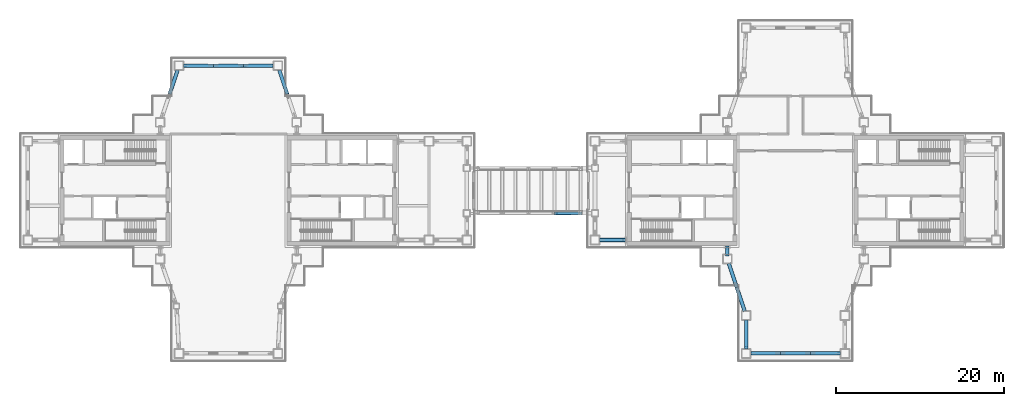
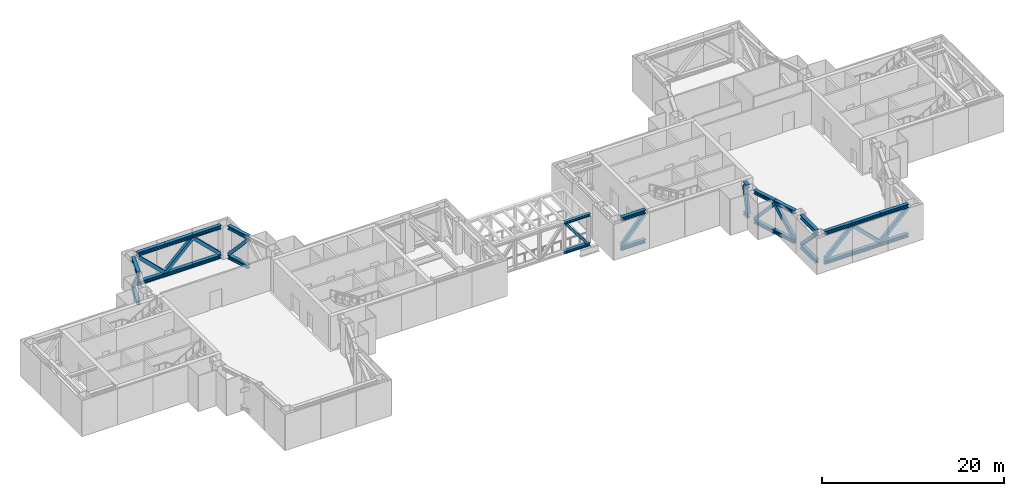
# One storey, part 5 of 21: 42 members.
"""IFC4 building model written with IfcOpenShell, lengths in metres."""

from ifc_helpers import new_model, si_unit, direction, frame, origin, origin_2d, place, context, subcontext, project, spatial, hollow_rectangle, i_section, extrude, material, material_profile, profile_set, type_object, element, save


model = new_model("IFC4")

# Units and contexts
model_context = context("Model", 3, precision=1e-05, world=origin(), true_north=direction((0.0, 1.0)))
body_context = subcontext(model_context, "Body", "Model", "MODEL_VIEW")
ifc_project = project(units=[si_unit("LENGTHUNIT", "METRE"), si_unit("AREAUNIT", "SQUARE_METRE"), si_unit("VOLUMEUNIT", "CUBIC_METRE"), si_unit("PLANEANGLEUNIT", "RADIAN"), si_unit("MASSUNIT", "GRAM", prefix="KILO")], contexts=[model_context])

# Site, building, storey
site_placement = place(None, origin())
site = spatial("IfcSite", under=ifc_project, at=site_placement, CompositionType="ELEMENT")
building_placement = place(site_placement, origin())
building = spatial("IfcBuilding", under=site, at=building_placement, Name="Shamsa Quay Exchange Towers", CompositionType="ELEMENT")
storey_placement = place(building_placement, frame((0.0, 0.0, 177.89990234375)))
storey = spatial("IfcBuildingStorey", under=building, at=storey_placement, Name="L42", CompositionType="ELEMENT", Elevation=177.89990234375)

# Members
ifc_material = material(Name="Steel S355", Category="steel")
ifc_material_profile_1 = material_profile(ifc_material, i_section(OverallWidth=0.43212890625, OverallDepth=0.497802734375, WebThickness=0.0556640625, FlangeThickness=0.0888671875, at=origin_2d()), Name="W14x500")
ifc_profile_set_1 = profile_set([ifc_material_profile_1], Name="Steel S355")
member_type_1 = type_object("IfcMemberType", Name="Belt chord W14x500", PredefinedType="CHORD", material=ifc_profile_set_1)
for number, where, z_axis, x_axis, name in (
    (1, (-26.75, 11.5, 4.201171875), (-0.316227766017, 0.948683298051, 0.0), (-0.948683298051, -0.316227766017, 0.0), "Belt truss chord T1 L42 17"),
    (2, (-26.75, 11.5, 0.2490234375), (-0.316227766017, 0.948683298051, 0.0), (-0.948683298051, -0.316227766017, 0.0), "Belt truss chord T1 L42 17"),
):
    element("IfcMember", number, at=place(storey_placement, frame(where, z_axis=z_axis, x_axis=x_axis)), inside=storey, type_object=member_type_1, Name=name, PredefinedType="CHORD", context=body_context, shape_type="SweptSolid", body=[
        extrude(i_section(OverallWidth=0.43212890625, OverallDepth=0.497802734375, WebThickness=0.0556640625, FlangeThickness=0.0888671875, at=origin_2d()), origin(), (0.0, 0.0, 1.0), 2.977783203125),
    ])
for number, where, z_axis, x_axis, name in (
    (3, (-28.425048828125, 14.875, 4.201171875), (-1.0, 0.0, 0.0), (0.0, -1.0, 0.0), "Belt truss chord T1 L42 18"),
    (4, (-28.425048828125, 14.875, 0.2490234375), (-1.0, 0.0, 0.0), (0.0, -1.0, 0.0), "Belt truss chord T1 L42 18"),
):
    element("IfcMember", number, at=place(storey_placement, frame(where, z_axis=z_axis, x_axis=x_axis)), inside=storey, type_object=member_type_1, Name=name, PredefinedType="CHORD", context=body_context, shape_type="SweptSolid", body=[
        extrude(i_section(OverallWidth=0.43212890625, OverallDepth=0.497802734375, WebThickness=0.0556640625, FlangeThickness=0.0888671875, at=origin_2d()), origin(), (0.0, 0.0, 1.0), 3.550048828125),
    ])
for number, where, z_axis, x_axis, name in (
    (5, (-31.97509765625, 14.875, 4.201171875), (-1.0, 0.0, 0.0), (0.0, -1.0, 0.0), "Belt truss chord T1 L42 18"),
    (6, (-31.97509765625, 14.875, 0.2490234375), (-1.0, 0.0, 0.0), (0.0, -1.0, 0.0), "Belt truss chord T1 L42 18"),
):
    element("IfcMember", number, at=place(storey_placement, frame(where, z_axis=z_axis, x_axis=x_axis)), inside=storey, type_object=member_type_1, Name=name, PredefinedType="CHORD", context=body_context, shape_type="SweptSolid", body=[
        extrude(i_section(OverallWidth=0.43212890625, OverallDepth=0.497802734375, WebThickness=0.0556640625, FlangeThickness=0.0888671875, at=origin_2d()), origin(), (0.0, 0.0, 1.0), 3.5498046875),
    ])
for number, where, z_axis, x_axis, name in (
    (7, (-35.52490234375, 14.875, 4.201171875), (-1.0, 0.0, 0.0), (0.0, -1.0, 0.0), "Belt truss chord T1 L42 18"),
    (8, (-35.52490234375, 14.875, 0.2490234375), (-1.0, 0.0, 0.0), (0.0, -1.0, 0.0), "Belt truss chord T1 L42 18"),
):
    element("IfcMember", number, at=place(storey_placement, frame(where, z_axis=z_axis, x_axis=x_axis)), inside=storey, type_object=member_type_1, Name=name, PredefinedType="CHORD", context=body_context, shape_type="SweptSolid", body=[
        extrude(i_section(OverallWidth=0.43212890625, OverallDepth=0.497802734375, WebThickness=0.0556640625, FlangeThickness=0.0888671875, at=origin_2d()), origin(), (0.0, 0.0, 1.0), 3.550048828125),
    ])
for number, where, z_axis, x_axis, name in (
    (9, (-39.808349609375, 14.324951171875, 4.201171875), (-0.316227766017, -0.948683298051, 0.0), (0.948683298051, -0.316227766017, 0.0), "Belt truss chord T1 L42 19"),
    (10, (-39.808349609375, 14.324951171875, 0.2490234375), (-0.316227766017, -0.948683298051, 0.0), (0.948683298051, -0.316227766017, 0.0), "Belt truss chord T1 L42 19"),
    (11, (25.808349609375, -8.675048828125, 4.201171875), (0.316227766017, -0.948683298051, 0.0), (0.948683298051, 0.316227766017, 0.0), "Belt truss chord T2 L42 3"),
    (12, (25.808349609375, -8.675048828125, 0.2490234375), (0.316227766017, -0.948683298051, 0.0), (0.948683298051, 0.316227766017, 0.0), "Belt truss chord T2 L42 3"),
    (13, (26.75, -11.5, 4.201171875), (0.316227766017, -0.948683298051, 0.0), (0.948683298051, 0.316227766017, 0.0), "Belt truss chord T2 L42 3"),
    (14, (26.75, -11.5, 0.2490234375), (0.316227766017, -0.948683298051, 0.0), (0.948683298051, 0.316227766017, 0.0), "Belt truss chord T2 L42 3"),
):
    element("IfcMember", number, at=place(storey_placement, frame(where, z_axis=z_axis, x_axis=x_axis)), inside=storey, type_object=member_type_1, Name=name, PredefinedType="CHORD", context=body_context, shape_type="SweptSolid", body=[
        extrude(i_section(OverallWidth=0.43212890625, OverallDepth=0.497802734375, WebThickness=0.0556640625, FlangeThickness=0.0888671875, at=origin_2d()), origin(), (0.0, 0.0, 1.0), 2.977783203125),
    ])
for number, where, z_axis, x_axis, name in (
    (15, (27.875, -15.425048828125, 4.201171875), (0.0, -1.0, 0.0), (1.0, 0.0, 0.0), "Belt truss chord T2 L42 4"),
    (16, (27.875, -15.425048828125, 0.2490234375), (0.0, -1.0, 0.0), (1.0, 0.0, 0.0), "Belt truss chord T2 L42 4"),
):
    element("IfcMember", number, at=place(storey_placement, frame(where, z_axis=z_axis, x_axis=x_axis)), inside=storey, type_object=member_type_1, Name=name, PredefinedType="CHORD", context=body_context, shape_type="SweptSolid", body=[
        extrude(i_section(OverallWidth=0.43212890625, OverallDepth=0.497802734375, WebThickness=0.0556640625, FlangeThickness=0.0888671875, at=origin_2d()), origin(), (0.0, 0.0, 1.0), 3.39990234375),
    ])
for number, where, z_axis, x_axis, name in (
    (17, (28.425048828125, -19.375, 4.201171875), (1.0, 0.0, 0.0), (0.0, 1.0, 0.0), "Belt truss chord T2 L42 5"),
    (18, (28.425048828125, -19.375, 0.2490234375), (1.0, 0.0, 0.0), (0.0, 1.0, 0.0), "Belt truss chord T2 L42 5"),
):
    element("IfcMember", number, at=place(storey_placement, frame(where, z_axis=z_axis, x_axis=x_axis)), inside=storey, type_object=member_type_1, Name=name, PredefinedType="CHORD", context=body_context, shape_type="SweptSolid", body=[
        extrude(i_section(OverallWidth=0.43212890625, OverallDepth=0.497802734375, WebThickness=0.0556640625, FlangeThickness=0.0888671875, at=origin_2d()), origin(), (0.0, 0.0, 1.0), 3.550048828125),
    ])
for number, where, z_axis, x_axis, name in (
    (19, (31.97509765625, -19.375, 4.201171875), (1.0, 0.0, 0.0), (0.0, 1.0, 0.0), "Belt truss chord T2 L42 5"),
    (20, (31.97509765625, -19.375, 0.2490234375), (1.0, 0.0, 0.0), (0.0, 1.0, 0.0), "Belt truss chord T2 L42 5"),
):
    element("IfcMember", number, at=place(storey_placement, frame(where, z_axis=z_axis, x_axis=x_axis)), inside=storey, type_object=member_type_1, Name=name, PredefinedType="CHORD", context=body_context, shape_type="SweptSolid", body=[
        extrude(i_section(OverallWidth=0.43212890625, OverallDepth=0.497802734375, WebThickness=0.0556640625, FlangeThickness=0.0888671875, at=origin_2d()), origin(), (0.0, 0.0, 1.0), 3.5498046875),
    ])
for number, where, z_axis, x_axis, name in (
    (21, (35.52490234375, -19.375, 4.201171875), (1.0, 0.0, 0.0), (0.0, 1.0, 0.0), "Belt truss chord T2 L42 5"),
    (22, (35.52490234375, -19.375, 0.2490234375), (1.0, 0.0, 0.0), (0.0, 1.0, 0.0), "Belt truss chord T2 L42 5"),
):
    element("IfcMember", number, at=place(storey_placement, frame(where, z_axis=z_axis, x_axis=x_axis)), inside=storey, type_object=member_type_1, Name=name, PredefinedType="CHORD", context=body_context, shape_type="SweptSolid", body=[
        extrude(i_section(OverallWidth=0.43212890625, OverallDepth=0.497802734375, WebThickness=0.0556640625, FlangeThickness=0.0888671875, at=origin_2d()), origin(), (0.0, 0.0, 1.0), 3.550048828125),
    ])
ifc_material_profile_2 = material_profile(ifc_material, hollow_rectangle(XDim=0.406494140625, YDim=0.406494140625, WallThickness=0.015869140625, at=origin_2d()), Name="HSS16x16x5/8")
ifc_profile_set_2 = profile_set([ifc_material_profile_2], Name="Steel S355")
member_type_2 = type_object("IfcMemberType", Name="Belt diagonal HSS16x16x5/8", PredefinedType="BRACE", material=ifc_profile_set_2)
member_1_placement = place(storey_placement, frame((-27.655517578125, 14.216552734375, 0.630615234375), z_axis=(0.206483170134, -0.619449510403, 0.757394880173), x_axis=(0.948683298051, 0.316227766017, 0.0)))
element("IfcMember", 23, at=member_1_placement, inside=storey, type_object=member_type_2, Name="Belt truss diagonal T1 L42 17", PredefinedType="BRACE", context=body_context, shape_type="SweptSolid", body=[
    extrude(hollow_rectangle(XDim=0.406494140625, YDim=0.406494140625, WallThickness=0.015869140625, at=origin_2d()), origin(), (0.0, 0.0, 1.0), 4.21044921875),
])
member_2_placement = place(storey_placement, frame((-28.57470703125, 14.875, 0.6435546875), z_axis=(-0.716702662829, 0.0, 0.697378873421), x_axis=(0.0, -1.0, 0.0)))
element("IfcMember", 24, at=member_2_placement, inside=storey, type_object=member_type_2, Name="Belt truss diagonal T1 L42 18", PredefinedType="BRACE", context=body_context, shape_type="SweptSolid", body=[
    extrude(hollow_rectangle(XDim=0.406494140625, YDim=0.406494140625, WallThickness=0.015869140625, at=origin_2d()), origin(), (0.0, 0.0, 1.0), 4.53564453125),
])
member_3_placement = place(storey_placement, frame((-35.375244140625, 14.875, 0.6435546875), z_axis=(0.716676483376, 0.0, 0.697405777274), x_axis=(0.0, 1.0, 0.0)))
element("IfcMember", 25, at=member_3_placement, inside=storey, type_object=member_type_2, Name="Belt truss diagonal T1 L42 18", PredefinedType="BRACE", context=body_context, shape_type="SweptSolid", body=[
    extrude(hollow_rectangle(XDim=0.406494140625, YDim=0.406494140625, WallThickness=0.015869140625, at=origin_2d()), origin(), (0.0, 0.0, 1.0), 4.535400390625),
])
member_4_placement = place(storey_placement, frame((-35.674560546875, 14.875, 0.6435546875), z_axis=(-0.716702662829, 0.0, 0.697378873421), x_axis=(0.0, -1.0, 0.0)))
element("IfcMember", 26, at=member_4_placement, inside=storey, type_object=member_type_2, Name="Belt truss diagonal T1 L42 18", PredefinedType="BRACE", context=body_context, shape_type="SweptSolid", body=[
    extrude(hollow_rectangle(XDim=0.406494140625, YDim=0.406494140625, WallThickness=0.015869140625, at=origin_2d()), origin(), (0.0, 0.0, 1.0), 4.53564453125),
])
for number, where, z_axis, x_axis, name in (
    (27, (-39.844482421875, 14.216552734375, 0.630615234375), (-0.206483170134, -0.619449510403, 0.757394880173), (0.948683298051, -0.316227766017, 0.0), "Belt truss diagonal T1 L42 19"),
    (28, (25.844482421875, -8.783447265625, 0.630615234375), (0.206483170134, -0.619449510403, 0.757394880173), (0.948683298051, 0.316227766017, 0.0), "Belt truss diagonal T2 L42 3"),
    (29, (27.655517578125, -14.216552734375, 0.630615234375), (-0.206483170134, 0.619449510403, 0.757394880173), (-0.948683298051, -0.316227766017, 0.0), "Belt truss diagonal T2 L42 3"),
):
    element("IfcMember", number, at=place(storey_placement, frame(where, z_axis=z_axis, x_axis=x_axis)), inside=storey, type_object=member_type_2, Name=name, PredefinedType="BRACE", context=body_context, shape_type="SweptSolid", body=[
        extrude(hollow_rectangle(XDim=0.406494140625, YDim=0.406494140625, WallThickness=0.015869140625, at=origin_2d()), origin(), (0.0, 0.0, 1.0), 4.21044921875),
    ])
member_5_placement = place(storey_placement, frame((27.875, -15.565185546875, 0.640380859375), z_axis=(0.0, -0.701485026186, 0.712684192358), x_axis=(1.0, 0.0, 0.0)))
element("IfcMember", 30, at=member_5_placement, inside=storey, type_object=member_type_2, Name="Belt truss diagonal T2 L42 4", PredefinedType="BRACE", context=body_context, shape_type="SweptSolid", body=[
    extrude(hollow_rectangle(XDim=0.406494140625, YDim=0.406494140625, WallThickness=0.015869140625, at=origin_2d()), origin(), (0.0, 0.0, 1.0), 4.447265625),
])
member_6_placement = place(storey_placement, frame((28.57470703125, -19.375, 0.6435546875), z_axis=(0.716702662829, 0.0, 0.697378873421), x_axis=(0.0, 1.0, 0.0)))
element("IfcMember", 31, at=member_6_placement, inside=storey, type_object=member_type_2, Name="Belt truss diagonal T2 L42 5", PredefinedType="BRACE", context=body_context, shape_type="SweptSolid", body=[
    extrude(hollow_rectangle(XDim=0.406494140625, YDim=0.406494140625, WallThickness=0.015869140625, at=origin_2d()), origin(), (0.0, 0.0, 1.0), 4.53564453125),
])
member_7_placement = place(storey_placement, frame((35.375244140625, -19.375, 0.6435546875), z_axis=(-0.716676483376, 0.0, 0.697405777274), x_axis=(0.0, -1.0, 0.0)))
element("IfcMember", 32, at=member_7_placement, inside=storey, type_object=member_type_2, Name="Belt truss diagonal T2 L42 5", PredefinedType="BRACE", context=body_context, shape_type="SweptSolid", body=[
    extrude(hollow_rectangle(XDim=0.406494140625, YDim=0.406494140625, WallThickness=0.015869140625, at=origin_2d()), origin(), (0.0, 0.0, 1.0), 4.535400390625),
])
member_8_placement = place(storey_placement, frame((35.674560546875, -19.375, 0.6435546875), z_axis=(0.716702662829, 0.0, 0.697378873421), x_axis=(0.0, 1.0, 0.0)))
element("IfcMember", 33, at=member_8_placement, inside=storey, type_object=member_type_2, Name="Belt truss diagonal T2 L42 5", PredefinedType="BRACE", context=body_context, shape_type="SweptSolid", body=[
    extrude(hollow_rectangle(XDim=0.406494140625, YDim=0.406494140625, WallThickness=0.015869140625, at=origin_2d()), origin(), (0.0, 0.0, 1.0), 4.53564453125),
])
ifc_material_profile_3 = material_profile(ifc_material, i_section(OverallWidth=0.43212890625, OverallDepth=0.497802734375, WebThickness=0.0556640625, FlangeThickness=0.0888671875, at=origin_2d()), Name="W14x500")
ifc_profile_set_3 = profile_set([ifc_material_profile_3], Name="Steel S355")
member_type_3 = type_object("IfcMemberType", Name="Outrigger chord W14x500", PredefinedType="CHORD", material=ifc_profile_set_3)
for number, where, z_axis, x_axis, name in (
    (34, (10.425048828125, -5.875, 4.201171875), (1.0, 0.0, 0.0), (0.0, 1.0, 0.0), "Outrigger truss chord T2 L42 1"),
    (35, (10.425048828125, -5.875, 0.2490234375), (1.0, 0.0, 0.0), (0.0, 1.0, 0.0), "Outrigger truss chord T2 L42 1"),
):
    element("IfcMember", number, at=place(storey_placement, frame(where, z_axis=z_axis, x_axis=x_axis)), inside=storey, type_object=member_type_3, Name=name, PredefinedType="CHORD", context=body_context, shape_type="SweptSolid", body=[
        extrude(i_section(OverallWidth=0.43212890625, OverallDepth=0.497802734375, WebThickness=0.0556640625, FlangeThickness=0.0888671875, at=origin_2d()), origin(), (0.0, 0.0, 1.0), 3.074951171875),
    ])
for number, where, z_axis, x_axis, name in (
    (36, (25.625, -7.574951171875, 4.201171875), (0.0, 1.0, 0.0), (-1.0, 0.0, 0.0), "Outrigger truss chord T2 L42 2"),
    (37, (25.625, -7.574951171875, 0.2490234375), (0.0, 1.0, 0.0), (-1.0, 0.0, 0.0), "Outrigger truss chord T2 L42 2"),
):
    element("IfcMember", number, at=place(storey_placement, frame(where, z_axis=z_axis, x_axis=x_axis)), inside=storey, type_object=member_type_3, Name=name, PredefinedType="CHORD", context=body_context, shape_type="SweptSolid", body=[
        extrude(i_section(OverallWidth=0.43212890625, OverallDepth=0.497802734375, WebThickness=0.0556640625, FlangeThickness=0.0888671875, at=origin_2d()), origin(), (0.0, 0.0, 1.0), 0.824951171875),
    ])
ifc_material_profile_4 = material_profile(ifc_material, hollow_rectangle(XDim=0.406494140625, YDim=0.406494140625, WallThickness=0.015869140625, at=origin_2d()), Name="HSS16x16x5/8")
ifc_profile_set_4 = profile_set([ifc_material_profile_4], Name="Steel S355")
member_type_4 = type_object("IfcMemberType", Name="Outrigger diagonal HSS16x16x5/8", PredefinedType="BRACE", material=ifc_profile_set_4)
member_9_placement = place(storey_placement, frame((10.545166015625, -5.875, 0.633056640625), z_axis=(0.664911088094, 0.0, 0.746922516014), x_axis=(0.0, 1.0, 0.0)))
element("IfcMember", 38, at=member_9_placement, inside=storey, type_object=member_type_4, Name="Outrigger truss diagonal T2 L42 1", PredefinedType="BRACE", context=body_context, shape_type="SweptSolid", body=[
    extrude(hollow_rectangle(XDim=0.406494140625, YDim=0.406494140625, WallThickness=0.015869140625, at=origin_2d()), origin(), (0.0, 0.0, 1.0), 4.262939453125),
])
member_10_placement = place(storey_placement, frame((25.625, -7.563720703125, 0.545166015625), z_axis=(0.0, 0.232311606124, 0.97264141268), x_axis=(-1.0, 0.0, 0.0)))
element("IfcMember", 39, at=member_10_placement, inside=storey, type_object=member_type_4, Name="Outrigger truss diagonal T2 L42 2", PredefinedType="BRACE", context=body_context, shape_type="SweptSolid", body=[
    extrude(hollow_rectangle(XDim=0.406494140625, YDim=0.406494140625, WallThickness=0.015869140625, at=origin_2d()), origin(), (0.0, 0.0, 1.0), 3.454345703125),
])
ifc_material_profile_5 = material_profile(ifc_material, i_section(OverallWidth=0.37255859375, OverallDepth=0.367919921875, WebThickness=0.014892578125, FlangeThickness=0.02392578125, at=origin_2d()), Name="W14x120")
ifc_profile_set_5 = profile_set([ifc_material_profile_5], Name="Steel S355")
member_type_5 = type_object("IfcMemberType", Name="Skybridge chord W14x120", PredefinedType="CHORD", material=ifc_profile_set_5)
for number, where, z_axis, x_axis, name in (
    (40, (5.056884765625, -2.699951171875, 3.6240234375), (1.0, 0.0, 0.0), (0.0, 1.0, 0.0), "Skybridge BR3 truss S top chord"),
    (41, (5.056884765625, -2.699951171875, -0.333740234375), (1.0, 0.0, 0.0), (0.0, 1.0, 0.0), "Skybridge BR3 truss S bottom chord"),
):
    element("IfcMember", number, at=place(storey_placement, frame(where, z_axis=z_axis, x_axis=x_axis)), inside=storey, type_object=member_type_5, Name=name, PredefinedType="CHORD", context=body_context, shape_type="SweptSolid", body=[
        extrude(i_section(OverallWidth=0.37255859375, OverallDepth=0.367919921875, WebThickness=0.014892578125, FlangeThickness=0.02392578125, at=origin_2d()), origin(), (0.0, 0.0, 1.0), 3.293212890625),
    ])
ifc_material_profile_6 = material_profile(ifc_material, i_section(OverallWidth=0.3046875, OverallDepth=0.307861328125, WebThickness=0.010009765625, FlangeThickness=0.015380859375, at=origin_2d()), Name="W12x65")
ifc_profile_set_6 = profile_set([ifc_material_profile_6], Name="Steel S355")
member_type_6 = type_object("IfcMemberType", Name="Skybridge diagonal W12x65", PredefinedType="BRACE", material=ifc_profile_set_6)
member_11_placement = place(storey_placement, frame((5.21826171875, -2.699951171875, 3.440185546875), z_axis=(0.609387599693, 0.0, -0.792872469783), x_axis=(0.0, 1.0, 0.0)))
element("IfcMember", 42, at=member_11_placement, inside=storey, type_object=member_type_6, Name="Skybridge BR3 truss S diagonal", PredefinedType="BRACE", context=body_context, shape_type="SweptSolid", body=[
    extrude(i_section(OverallWidth=0.3046875, OverallDepth=0.307861328125, WebThickness=0.010009765625, FlangeThickness=0.015380859375, at=origin_2d()), origin(), (0.0, 0.0, 1.0), 4.52783203125),
])

save(model, "model.ifc")
